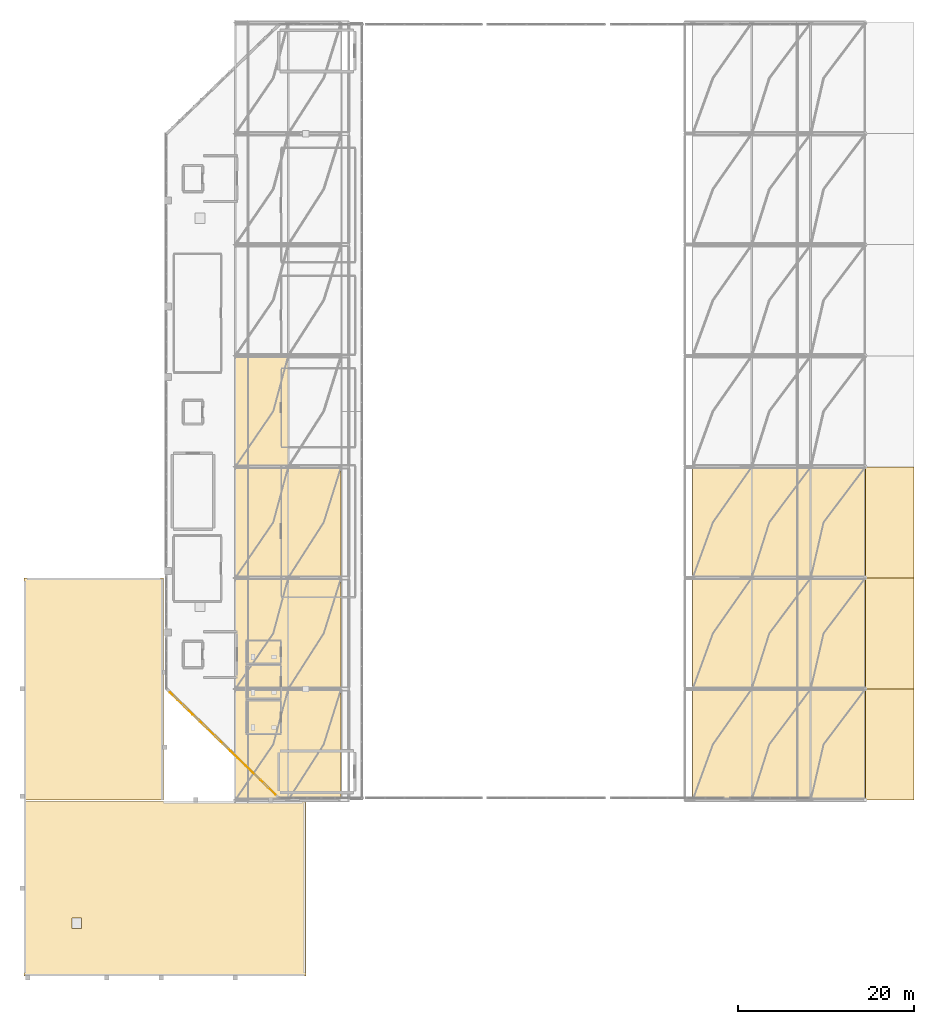
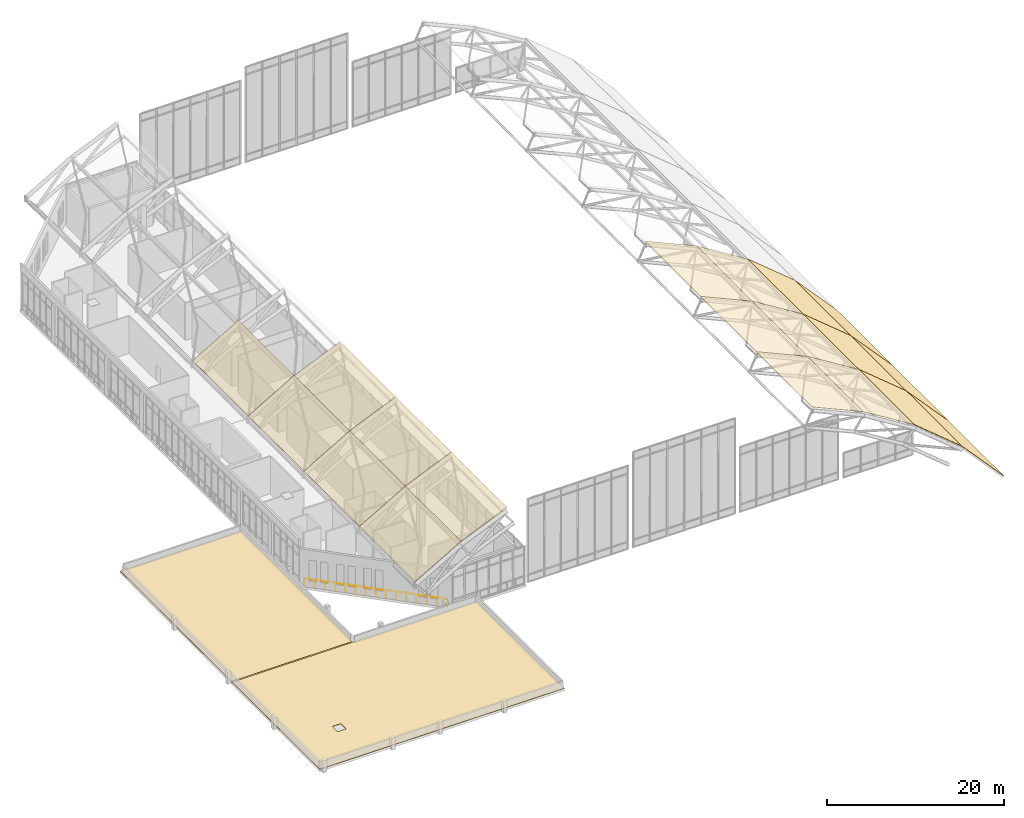
# One storey, part 39 of 42: 21 coverings, 1 railing, 1 element without a shape of its own.
"""IFC4 building model written with IfcOpenShell, lengths in metres."""

from ifc_helpers import new_model, si_unit, derived_unit, direction, frame, origin, origin_2d, place, context, subcontext, project, spatial, polyline, circle, outline, extrude, material, layer, layer_set, type_object, element, aggregate, save


model = new_model("IFC4")

# Units and contexts
model_context = context("Model", 3, precision=1e-05, world=origin(), true_north=direction((0.0, 1.0)))
body_context = subcontext(model_context, "Body", "Model", "MODEL_VIEW")
ifc_project = project(units=[si_unit("LENGTHUNIT", "METRE"), si_unit("AREAUNIT", "SQUARE_METRE"), si_unit("VOLUMEUNIT", "CUBIC_METRE"), si_unit("PLANEANGLEUNIT", "RADIAN"), si_unit("MASSUNIT", "GRAM", prefix="KILO"), derived_unit("THERMALTRANSMITTANCEUNIT", [(si_unit("MASSUNIT", "GRAM", prefix="KILO"), 1), (si_unit("TIMEUNIT", "SECOND"), -3), (si_unit("THERMODYNAMICTEMPERATUREUNIT", "KELVIN"), -1)])], contexts=[model_context])

# Site, building, storey
site_placement = place(None, origin())
site = spatial("IfcSite", under=ifc_project, at=site_placement, CompositionType="ELEMENT")
building_placement = place(site_placement, origin())
building = spatial("IfcBuilding", under=site, at=building_placement, Name="Valcora Ridge Arena", CompositionType="ELEMENT")
storey_placement = place(building_placement, frame((0.0, 0.0, 26.39990234375)))
storey = spatial("IfcBuildingStorey", under=building, at=storey_placement, Name="L05", CompositionType="ELEMENT", Elevation=26.39990234375)

# Coverings
ifc_material_1 = material(Name="Weathered zinc-bronze standing-seam metal Grade Z275")
ifc_layer_1 = layer(ifc_material_1, 0.0400390625, Name="Weathered zinc-bronze standing-seam metal Grade Z275")
ifc_layer_set_1 = layer_set([ifc_layer_1], Name="Weathered zinc-bronze standing-seam metal Grade Z275")
covering_type_1 = type_object("IfcCoveringType", Name="TY-COVERING-COV-ZINC-ARC", PredefinedType="ROOFING", material=ifc_layer_set_1)
covering_1_placement = place(storey_placement, frame((24.0, 20.0, 5.440185546875), z_axis=(-0.501926643599, 0.0, 0.864910194439), x_axis=(0.864910194439, 0.0, 0.501926643599)))
element("IfcCovering", 1, at=covering_1_placement, inside=storey, type_object=covering_type_1, Name="COV-ZINC-ARC COV-RF-0001", PredefinedType="ROOFING", context=body_context, shape_type="SweptSolid", body=[
    extrude(outline(polyline([(0.0, 0.0), (6.93713640858278, 0.0), (6.93713640858278, 12.60009765625), (0.0, 12.60009765625), (0.0, 0.0)])), origin(), (0.0, 0.0, -1.0), 0.0400390625),
])
covering_2_placement = place(storey_placement, frame((30.0, 20.0, 8.922119140625), z_axis=(-0.397337061961, 0.0, 0.917672740792), x_axis=(0.917672740792, 0.0, 0.397337061961)))
element("IfcCovering", 2, at=covering_2_placement, inside=storey, type_object=covering_type_1, Name="COV-ZINC-ARC COV-RF-0002", PredefinedType="ROOFING", context=body_context, shape_type="SweptSolid", body=[
    extrude(outline(polyline([(0.0, 0.0), (6.5382785532286345, 0.0), (6.5382785532286345, 12.60009765625), (0.0, 12.60009765625), (0.0, 0.0)])), origin(), (0.0, 0.0, -1.0), 0.0400390625),
])
covering_3_placement = place(storey_placement, frame((75.89990234375, 20.0, 11.416015625), z_axis=(0.408488575858, 0.0, 0.912763432327), x_axis=(0.912763432327, 0.0, -0.408488575858)))
element("IfcCovering", 3, at=covering_3_placement, inside=storey, type_object=covering_type_1, Name="COV-ZINC-ARC COV-RF-0009", PredefinedType="ROOFING", context=body_context, shape_type="SweptSolid", body=[
    extrude(outline(polyline([(0.0, 0.0), (7.340560626335988, 0.0), (7.340560626335988, 12.60009765625), (0.0, 12.60009765625), (0.0, 0.0)])), origin(), (0.0, 0.0, -1.0), 0.0400390625),
])
covering_4_placement = place(storey_placement, frame((82.60009765625, 20.0, 8.41748046875), z_axis=(0.525423571512, 0.0, 0.850840802089), x_axis=(0.850840802089, 0.0, -0.525423571512)))
element("IfcCovering", 4, at=covering_4_placement, inside=storey, type_object=covering_type_1, Name="COV-ZINC-ARC COV-RF-0010", PredefinedType="ROOFING", context=body_context, shape_type="SweptSolid", body=[
    extrude(outline(polyline([(0.0, 0.0), (7.874506200718812, 0.0), (7.874506200718812, 12.60009765625), (0.0, 12.60009765625), (0.0, 0.0)])), origin(), (0.0, 0.0, -1.0), 0.0400390625),
])
covering_5_placement = place(storey_placement, frame((89.300048828125, 20.0, 4.280029296875), z_axis=(0.637917681014, 0.0, 0.770104559296), x_axis=(0.770104559296, 0.0, -0.637917681014)))
element("IfcCovering", 5, at=covering_5_placement, inside=storey, type_object=covering_type_1, Name="COV-ZINC-ARC COV-RF-0011", PredefinedType="ROOFING", context=body_context, shape_type="SweptSolid", body=[
    extrude(outline(polyline([(0.0, 0.0), (8.050791411414252, 0.0), (8.050791411414252, 12.60009765625), (0.0, 12.60009765625), (0.0, 0.0)])), origin(), (0.0, 0.0, -1.0), 0.0400390625),
])
covering_6_placement = place(storey_placement, frame((95.5, 20.0, -0.855712890625), z_axis=(0.739969795529, 0.0, 0.672640098199), x_axis=(0.672640098199, 0.0, -0.739969795529)))
element("IfcCovering", 6, at=covering_6_placement, inside=storey, type_object=covering_type_1, Name="COV-ZINC-ARC COV-RF-0012", PredefinedType="ROOFING", context=body_context, shape_type="SweptSolid", body=[
    extrude(outline(polyline([(0.0, 0.0), (8.17673524775775, 0.0), (8.17673524775775, 12.60009765625), (0.0, 12.60009765625), (0.0, 0.0)])), origin(), (0.0, 0.0, -1.0), 0.0400390625),
])
covering_7_placement = place(storey_placement, frame((24.0, 32.60009765625, 5.440185546875), z_axis=(-0.501926643599, 0.0, 0.864910194439), x_axis=(0.864910194439, 0.0, 0.501926643599)))
element("IfcCovering", 7, at=covering_7_placement, inside=storey, type_object=covering_type_1, Name="COV-ZINC-ARC COV-RF-0015", PredefinedType="ROOFING", context=body_context, shape_type="SweptSolid", body=[
    extrude(outline(polyline([(0.0, 0.0), (6.93713640858278, 0.0), (6.93713640858278, 12.599853515625), (0.0, 12.599853515625), (0.0, 0.0)])), origin(), (0.0, 0.0, -1.0), 0.0400390625),
])
covering_8_placement = place(storey_placement, frame((30.0, 32.60009765625, 8.922119140625), z_axis=(-0.397337061961, 0.0, 0.917672740792), x_axis=(0.917672740792, 0.0, 0.397337061961)))
element("IfcCovering", 8, at=covering_8_placement, inside=storey, type_object=covering_type_1, Name="COV-ZINC-ARC COV-RF-0016", PredefinedType="ROOFING", context=body_context, shape_type="SweptSolid", body=[
    extrude(outline(polyline([(0.0, 0.0), (6.5382785532286345, 0.0), (6.5382785532286345, 12.599853515625), (0.0, 12.599853515625), (0.0, 0.0)])), origin(), (0.0, 0.0, -1.0), 0.0400390625),
])
covering_9_placement = place(storey_placement, frame((75.89990234375, 32.60009765625, 11.416015625), z_axis=(0.408488575858, 0.0, 0.912763432327), x_axis=(0.912763432327, 0.0, -0.408488575858)))
element("IfcCovering", 9, at=covering_9_placement, inside=storey, type_object=covering_type_1, Name="COV-ZINC-ARC COV-RF-0023", PredefinedType="ROOFING", context=body_context, shape_type="SweptSolid", body=[
    extrude(outline(polyline([(0.0, 0.0), (7.340560626335988, 0.0), (7.340560626335988, 12.599853515625), (0.0, 12.599853515625), (0.0, 0.0)])), origin(), (0.0, 0.0, -1.0), 0.0400390625),
])
covering_10_placement = place(storey_placement, frame((82.60009765625, 32.60009765625, 8.41748046875), z_axis=(0.525423571512, 0.0, 0.850840802089), x_axis=(0.850840802089, 0.0, -0.525423571512)))
element("IfcCovering", 10, at=covering_10_placement, inside=storey, type_object=covering_type_1, Name="COV-ZINC-ARC COV-RF-0024", PredefinedType="ROOFING", context=body_context, shape_type="SweptSolid", body=[
    extrude(outline(polyline([(0.0, 0.0), (7.874506200718812, 0.0), (7.874506200718812, 12.599853515625), (0.0, 12.599853515625), (0.0, 0.0)])), origin(), (0.0, 0.0, -1.0), 0.0400390625),
])
covering_11_placement = place(storey_placement, frame((89.300048828125, 32.60009765625, 4.280029296875), z_axis=(0.637917681014, 0.0, 0.770104559296), x_axis=(0.770104559296, 0.0, -0.637917681014)))
element("IfcCovering", 11, at=covering_11_placement, inside=storey, type_object=covering_type_1, Name="COV-ZINC-ARC COV-RF-0025", PredefinedType="ROOFING", context=body_context, shape_type="SweptSolid", body=[
    extrude(outline(polyline([(0.0, 0.0), (8.050791411414252, 0.0), (8.050791411414252, 12.599853515625), (0.0, 12.599853515625), (0.0, 0.0)])), origin(), (0.0, 0.0, -1.0), 0.0400390625),
])
covering_12_placement = place(storey_placement, frame((95.5, 32.60009765625, -0.855712890625), z_axis=(0.739969795529, 0.0, 0.672640098199), x_axis=(0.672640098199, 0.0, -0.739969795529)))
element("IfcCovering", 12, at=covering_12_placement, inside=storey, type_object=covering_type_1, Name="COV-ZINC-ARC COV-RF-0026", PredefinedType="ROOFING", context=body_context, shape_type="SweptSolid", body=[
    extrude(outline(polyline([(0.0, 0.0), (8.17673524775775, 0.0), (8.17673524775775, 12.599853515625004), (0.0, 12.599853515625004), (0.0, 0.0)])), origin(), (0.0, 0.0, -1.0), 0.0400390625),
])
covering_13_placement = place(storey_placement, frame((24.0, 45.199951171875, 5.440185546875), z_axis=(-0.501926643599, 0.0, 0.864910194439), x_axis=(0.864910194439, 0.0, 0.501926643599)))
element("IfcCovering", 13, at=covering_13_placement, inside=storey, type_object=covering_type_1, Name="COV-ZINC-ARC COV-RF-0029", PredefinedType="ROOFING", context=body_context, shape_type="SweptSolid", body=[
    extrude(outline(polyline([(0.0, 0.0), (6.93713640858278, 0.0), (6.93713640858278, 12.60009765625), (0.0, 12.60009765625), (0.0, 0.0)])), origin(), (0.0, 0.0, -1.0), 0.0400390625),
])
covering_14_placement = place(storey_placement, frame((30.0, 45.199951171875, 8.922119140625), z_axis=(-0.397337061961, 0.0, 0.917672740792), x_axis=(0.917672740792, 0.0, 0.397337061961)))
element("IfcCovering", 14, at=covering_14_placement, inside=storey, type_object=covering_type_1, Name="COV-ZINC-ARC COV-RF-0030", PredefinedType="ROOFING", context=body_context, shape_type="SweptSolid", body=[
    extrude(outline(polyline([(0.0, 0.0), (6.5382785532286345, 0.0), (6.5382785532286345, 12.60009765625), (0.0, 12.60009765625), (0.0, 0.0)])), origin(), (0.0, 0.0, -1.0), 0.0400390625),
])
covering_15_placement = place(storey_placement, frame((75.89990234375, 45.199951171875, 11.416015625), z_axis=(0.408488575858, 0.0, 0.912763432327), x_axis=(0.912763432327, 0.0, -0.408488575858)))
element("IfcCovering", 15, at=covering_15_placement, inside=storey, type_object=covering_type_1, Name="COV-ZINC-ARC COV-RF-0037", PredefinedType="ROOFING", context=body_context, shape_type="SweptSolid", body=[
    extrude(outline(polyline([(0.0, 0.0), (7.340560626335988, 0.0), (7.340560626335988, 12.60009765625), (0.0, 12.60009765625), (0.0, 0.0)])), origin(), (0.0, 0.0, -1.0), 0.0400390625),
])
covering_16_placement = place(storey_placement, frame((82.60009765625, 45.199951171875, 8.41748046875), z_axis=(0.525423571512, 0.0, 0.850840802089), x_axis=(0.850840802089, 0.0, -0.525423571512)))
element("IfcCovering", 16, at=covering_16_placement, inside=storey, type_object=covering_type_1, Name="COV-ZINC-ARC COV-RF-0038", PredefinedType="ROOFING", context=body_context, shape_type="SweptSolid", body=[
    extrude(outline(polyline([(0.0, 0.0), (7.874506200718812, 0.0), (7.874506200718812, 12.60009765625), (0.0, 12.60009765625), (0.0, 0.0)])), origin(), (0.0, 0.0, -1.0), 0.0400390625),
])
covering_17_placement = place(storey_placement, frame((89.300048828125, 45.199951171875, 4.280029296875), z_axis=(0.637917681014, 0.0, 0.770104559296), x_axis=(0.770104559296, 0.0, -0.637917681014)))
element("IfcCovering", 17, at=covering_17_placement, inside=storey, type_object=covering_type_1, Name="COV-ZINC-ARC COV-RF-0039", PredefinedType="ROOFING", context=body_context, shape_type="SweptSolid", body=[
    extrude(outline(polyline([(0.0, 0.0), (8.050791411414252, 0.0), (8.050791411414252, 12.60009765625), (0.0, 12.60009765625), (0.0, 0.0)])), origin(), (0.0, 0.0, -1.0), 0.0400390625),
])
covering_18_placement = place(storey_placement, frame((95.5, 45.199951171875, -0.855712890625), z_axis=(0.739969795529, 0.0, 0.672640098199), x_axis=(0.672640098199, 0.0, -0.739969795529)))
element("IfcCovering", 18, at=covering_18_placement, inside=storey, type_object=covering_type_1, Name="COV-ZINC-ARC COV-RF-0040", PredefinedType="ROOFING", context=body_context, shape_type="SweptSolid", body=[
    extrude(outline(polyline([(0.0, 0.0), (8.17673524775775, 0.0), (8.17673524775775, 12.60009765625), (0.0, 12.60009765625), (0.0, 0.0)])), origin(), (0.0, 0.0, -1.0), 0.0400390625),
])
covering_19_placement = place(storey_placement, frame((24.0, 57.800048828125, 5.440185546875), z_axis=(-0.501926643599, 0.0, 0.864910194439), x_axis=(0.864910194439, 0.0, 0.501926643599)))
element("IfcCovering", 19, at=covering_19_placement, inside=storey, type_object=covering_type_1, Name="COV-ZINC-ARC COV-RF-0043", PredefinedType="ROOFING", context=body_context, shape_type="SweptSolid", body=[
    extrude(outline(polyline([(0.0, 0.0), (6.93713640858278, 0.0), (6.93713640858278, 12.599853515625), (0.0, 12.599853515625), (0.0, 0.0)])), origin(), (0.0, 0.0, -1.0), 0.0400390625),
])

# Roof, coverings
roof_type = type_object("IfcRoofType", Name="TY-ROOF-ROOF-SYS-V4", PredefinedType="FLAT_ROOF", material=ifc_material_1)
roof_placement = place(storey_placement, origin())
roof = element("IfcRoof", 20, at=roof_placement, inside=storey, type_object=roof_type, Name="ROOF-SYS-V4 ROF-0004", PredefinedType="FLAT_ROOF")
ifc_layer_2 = layer(ifc_material_1, 0.0400390625, Name="Weathered zinc-bronze standing-seam metal Grade Z275")
ifc_layer_set_2 = layer_set([ifc_layer_2], Name="Weathered zinc-bronze standing-seam metal Grade Z275")
covering_type_2 = type_object("IfcCoveringType", Name="TY-COVERING-COV-ZINC-V4", PredefinedType="ROOFING", material=ifc_layer_set_2)
covering_20_placement = place(storey_placement, origin())
covering_20 = element("IfcCovering", 21, at=covering_20_placement, type_object=covering_type_2, Name="COV-ZINC-V4 COV-RF-0101", PredefinedType="ROOFING", context=body_context, shape_type="SweptSolid", body=[
    extrude(outline(polyline([(0.0, 0.0), (32.0, 0.0), (32.0, 19.85009765625), (0.0, 19.85009765625), (0.0, 0.0)]), holes=[polyline([(6.544921875, 6.594970703125), (5.455078125, 6.594970703125), (5.455078125, 5.405029296875), (6.544921875, 5.405029296875), (6.544921875, 6.594970703125)])]), origin(), (0.0, 0.0, 1.0), 0.0400390625),
])
covering_21_placement = place(storey_placement, origin())
covering_21 = element("IfcCovering", 22, at=covering_21_placement, type_object=covering_type_2, Name="COV-ZINC-V4 COV-RF-0102", PredefinedType="ROOFING", context=body_context, shape_type="SweptSolid", body=[
    extrude(outline(polyline([(0.0, 20.0), (15.85009765625, 20.0), (15.85009765625, 45.199951171875), (0.0, 45.199951171875), (0.0, 20.0)])), origin(), (0.0, 0.0, 1.0), 0.0400390625),
])
aggregate(roof, [covering_20, covering_21])

# Railing
ifc_material_2 = material(Name="Galvanized painted steel ASTM A500 Grade B", Category="steel")
railing_type = type_object("IfcRailingType", Name="TY-RAILING-GRD-VOID-1120", PredefinedType="GUARDRAIL", material=ifc_material_2)
railing_placement = place(storey_placement, frame((28.553466796875, 20.60009765625, 0.0)))
element("IfcRailing", 23, at=railing_placement, inside=storey, type_object=railing_type, Name="GRD-VOID-1120 RAL-DK-0016", PredefinedType="GUARDRAIL", context=body_context, shape_type="SweptSolid", body=[
    extrude(circle(Radius=0.02392578125, at=origin_2d()), frame((0.0, 0.0, 1.09619140625), z_axis=(-0.718071396375, 0.695969445959, 0.0), x_axis=(-0.695969445959, -0.718071396375, 0.0)), (0.0, 0.0, 1.0), 16.646484375),
    extrude(circle(Radius=0.02099609375, at=origin_2d()), origin(), (0.0, 0.0, 1.0), 1.072021484375),
    extrude(circle(Radius=0.02099609375, at=origin_2d()), frame((-0.853759765625, 0.82763671875, 0.0)), (0.0, 0.0, 1.0), 1.072021484375),
    extrude(circle(Radius=0.02099609375, at=origin_2d()), frame((-1.70751953125, 1.655029296875, 0.0)), (0.0, 0.0, 1.0), 1.072021484375),
    extrude(circle(Radius=0.02099609375, at=origin_2d()), frame((-2.5615234375, 2.482666015625, 0.0)), (0.0, 0.0, 1.0), 1.072021484375),
    extrude(circle(Radius=0.02099609375, at=origin_2d()), frame((-3.415283203125, 3.31005859375, 0.0)), (0.0, 0.0, 1.0), 1.072021484375),
    extrude(circle(Radius=0.02099609375, at=origin_2d()), frame((-4.26904296875, 4.1376953125, 0.0)), (0.0, 0.0, 1.0), 1.072021484375),
    extrude(circle(Radius=0.02099609375, at=origin_2d()), frame((-5.122802734375, 4.965087890625, 0.0)), (0.0, 0.0, 1.0), 1.072021484375),
    extrude(circle(Radius=0.02099609375, at=origin_2d()), frame((-5.9765625, 5.792724609375, 0.0)), (0.0, 0.0, 1.0), 1.072021484375),
    extrude(circle(Radius=0.02099609375, at=origin_2d()), frame((-6.83056640625, 6.620361328125, 0.0)), (0.0, 0.0, 1.0), 1.072021484375),
    extrude(circle(Radius=0.02099609375, at=origin_2d()), frame((-7.684326171875, 7.44775390625, 0.0)), (0.0, 0.0, 1.0), 1.072021484375),
    extrude(circle(Radius=0.02099609375, at=origin_2d()), frame((-8.5380859375, 8.275390625, 0.0)), (0.0, 0.0, 1.0), 1.072021484375),
    extrude(circle(Radius=0.02099609375, at=origin_2d()), frame((-9.391845703125, 9.102783203125, 0.0)), (0.0, 0.0, 1.0), 1.072021484375),
    extrude(circle(Radius=0.02099609375, at=origin_2d()), frame((-10.245849609375, 9.930419921875, 0.0)), (0.0, 0.0, 1.0), 1.072021484375),
    extrude(circle(Radius=0.02099609375, at=origin_2d()), frame((-11.099609375, 10.7578125, 0.0)), (0.0, 0.0, 1.0), 1.072021484375),
    extrude(circle(Radius=0.02099609375, at=origin_2d()), frame((-11.953369140625, 11.58544921875, 0.0)), (0.0, 0.0, 1.0), 1.072021484375),
])

save(model, "model.ifc")
